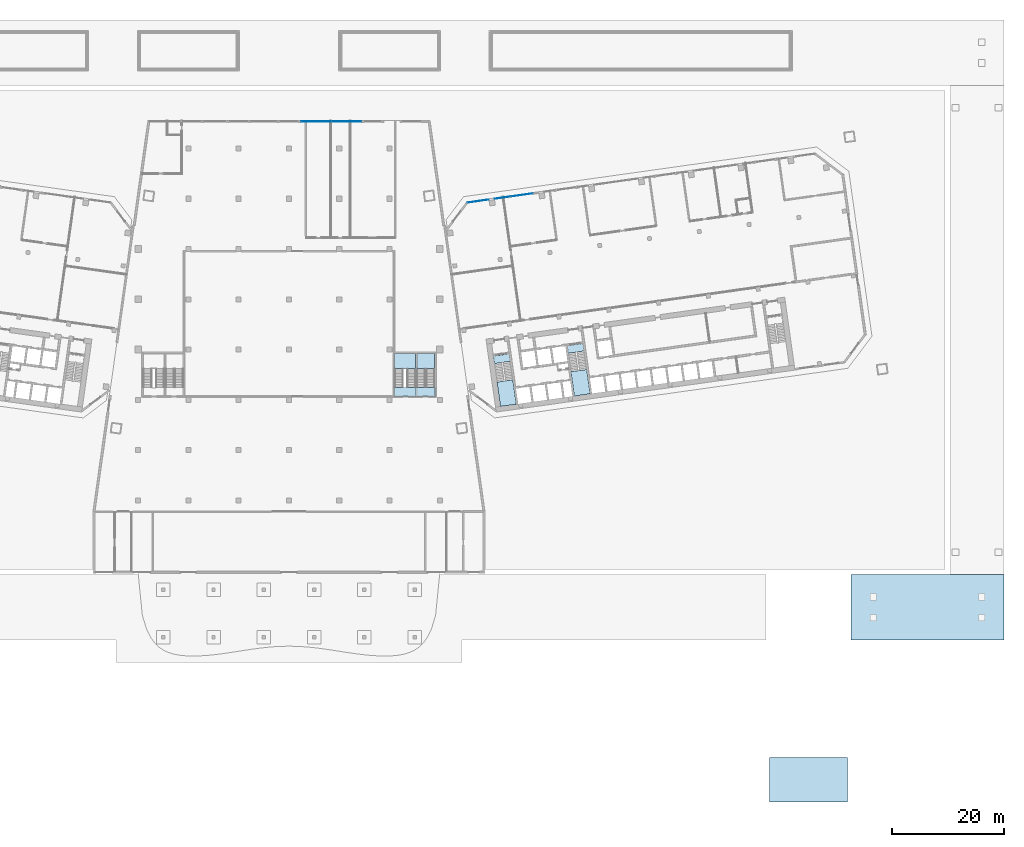
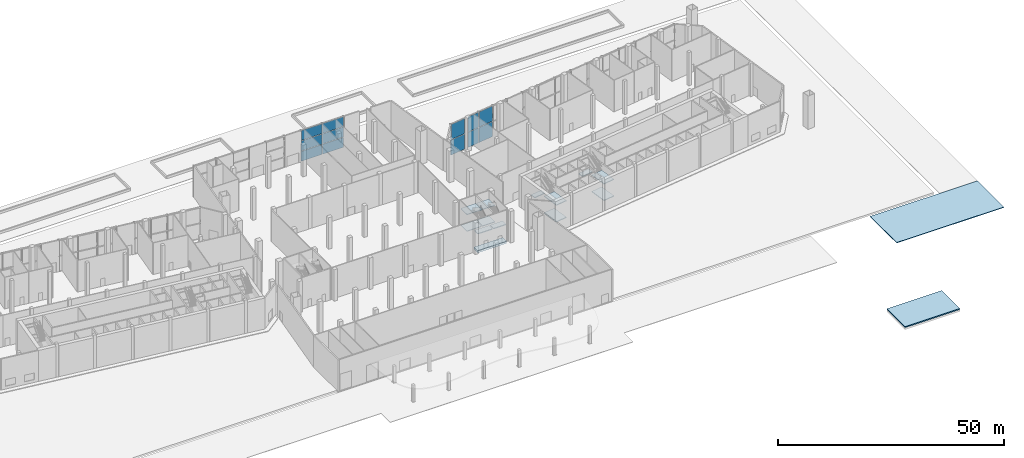
# One storey, part 12 of 34: 15 slabs, 12 plates, 6 elements without a shape of their own.
"""IFC4 building model written with IfcOpenShell, lengths in metres."""

from ifc_helpers import new_model, si_unit, direction, frame, origin, origin_2d, place, context, subcontext, project, spatial, polyline, rectangle, outline, extrude, material, layer, layer_set, type_object, element, aggregate, save


model = new_model("IFC4")

# Units and contexts
model_context = context("Model", 3, precision=1e-05, world=origin(), true_north=direction((0.0, 1.0)))
body_context = subcontext(model_context, "Body", "Model", "MODEL_VIEW")
ifc_project = project(units=[si_unit("LENGTHUNIT", "METRE"), si_unit("AREAUNIT", "SQUARE_METRE"), si_unit("VOLUMEUNIT", "CUBIC_METRE"), si_unit("PLANEANGLEUNIT", "RADIAN"), si_unit("MASSUNIT", "GRAM", prefix="KILO")], contexts=[model_context])

# Site, building, storey
site_placement = place(None, origin())
site = spatial("IfcSite", under=ifc_project, at=site_placement, CompositionType="ELEMENT")
building_placement = place(site_placement, origin())
building = spatial("IfcBuilding", under=site, at=building_placement, Name="Mirante Cascada Hotel Towers", CompositionType="ELEMENT")
storey_placement = place(building_placement, origin())
storey = spatial("IfcBuildingStorey", under=building, at=storey_placement, Name="L00", CompositionType="ELEMENT", Elevation=0.0)

# Curtain wall, plates
ifc_material_1 = material(Name="Aluminium mullion and transom frame with clear laminated glass", Category="aluminium")
curtain_wall_type = type_object("IfcCurtainWallType", Name="Podium curtain wall ECW3", PredefinedType="NOTDEFINED", material=ifc_material_1)
curtain_wall_1_placement = place(storey_placement, origin())
curtain_wall_1 = element("IfcCurtainWall", 1, at=curtain_wall_1_placement, inside=storey, type_object=curtain_wall_type, Name="Podium curtain wall L00 run front.7", PredefinedType="NOTDEFINED")
ifc_material_2 = material(Name="Clear laminated glass", Category="glass")
ifc_layer_1 = layer(ifc_material_2, 0.04)
ifc_layer_set_1 = layer_set([ifc_layer_1], Name="ECW3 glass panel 40")
plate_type = type_object("IfcPlateType", Name="ECW3 glass panel 40", PredefinedType="CURTAIN_PANEL", material=ifc_layer_set_1)
plate_1_placement = place(storey_placement, frame((41.6967, 18.6791, 0.12), z_axis=(0.0, 0.0, 1.0), x_axis=(-0.9902681, -0.1391731, 0.0)))
plate_1 = element("IfcPlate", 2, at=plate_1_placement, type_object=plate_type, Name="ECW3 panel 2", PredefinedType="CURTAIN_PANEL", context=body_context, shape_type="SweptSolid", body=[
    extrude(rectangle(XDim=3.8795, YDim=0.04, at=origin_2d()), origin(), (0.0, 0.0, 1.0), 4.07),
])
plate_2_placement = place(storey_placement, frame((41.6967, 18.6791, 4.31), z_axis=(0.0, 0.0, 1.0), x_axis=(-0.9902681, -0.1391731, 0.0)))
plate_2 = element("IfcPlate", 3, at=plate_2_placement, type_object=plate_type, Name="ECW3 panel 2", PredefinedType="CURTAIN_PANEL", context=body_context, shape_type="SweptSolid", body=[
    extrude(rectangle(XDim=3.8795, YDim=0.04, at=origin_2d()), origin(), (0.0, 0.0, 1.0), 4.07),
])
plate_3_placement = place(storey_placement, frame((38.2503, 18.1947, 0.12), z_axis=(0.0, 0.0, 1.0), x_axis=(-0.9902681, -0.1391731, 0.0)))
plate_3 = element("IfcPlate", 4, at=plate_3_placement, type_object=plate_type, Name="ECW3 panel 3", PredefinedType="CURTAIN_PANEL", context=body_context, shape_type="SweptSolid", body=[
    extrude(rectangle(XDim=2.9211, YDim=0.04, at=origin_2d()), origin(), (0.0, 0.0, 1.0), 4.07),
])
plate_4_placement = place(storey_placement, frame((38.2503, 18.1947, 4.31), z_axis=(0.0, 0.0, 1.0), x_axis=(-0.9902681, -0.1391731, 0.0)))
plate_4 = element("IfcPlate", 5, at=plate_4_placement, type_object=plate_type, Name="ECW3 panel 3", PredefinedType="CURTAIN_PANEL", context=body_context, shape_type="SweptSolid", body=[
    extrude(rectangle(XDim=2.9211, YDim=0.04, at=origin_2d()), origin(), (0.0, 0.0, 1.0), 4.07),
])
plate_5_placement = place(storey_placement, frame((33.8738, 17.5797, 0.12), z_axis=(0.0, 0.0, 1.0), x_axis=(-0.9902681, -0.1391731, 0.0)))
plate_5 = element("IfcPlate", 6, at=plate_5_placement, type_object=plate_type, Name="ECW3 panel 4", PredefinedType="CURTAIN_PANEL", context=body_context, shape_type="SweptSolid", body=[
    extrude(rectangle(XDim=3.8379, YDim=0.04, at=origin_2d()), origin(), (0.0, 0.0, 1.0), 4.07),
])
plate_6_placement = place(storey_placement, frame((33.8738, 17.5797, 4.31), z_axis=(0.0, 0.0, 1.0), x_axis=(-0.9902681, -0.1391731, 0.0)))
plate_6 = element("IfcPlate", 7, at=plate_6_placement, type_object=plate_type, Name="ECW3 panel 4", PredefinedType="CURTAIN_PANEL", context=body_context, shape_type="SweptSolid", body=[
    extrude(rectangle(XDim=3.8379, YDim=0.04, at=origin_2d()), origin(), (0.0, 0.0, 1.0), 4.07),
])
aggregate(curtain_wall_1, [plate_1, plate_2, plate_3, plate_4, plate_5, plate_6])

curtain_wall_2_placement = place(storey_placement, origin())
curtain_wall_2 = element("IfcCurtainWall", 8, at=curtain_wall_2_placement, inside=storey, type_object=curtain_wall_type, Name="Podium curtain wall L00 run 4.3", PredefinedType="NOTDEFINED")
plate_7_placement = place(storey_placement, frame((10.2925, 31.85, 0.12), z_axis=(0.0, 0.0, 1.0), x_axis=(-1.0, 0.0, 0.0)))
plate_7 = element("IfcPlate", 9, at=plate_7_placement, type_object=plate_type, Name="ECW3 panel 1", PredefinedType="CURTAIN_PANEL", context=body_context, shape_type="SweptSolid", body=[
    extrude(rectangle(XDim=5.355, YDim=0.04, at=origin_2d()), origin(), (0.0, 0.0, 1.0), 2.6533),
])
plate_8_placement = place(storey_placement, frame((10.2925, 31.85, 2.8934), z_axis=(0.0, 0.0, 1.0), x_axis=(-1.0, 0.0, 0.0)))
plate_8 = element("IfcPlate", 10, at=plate_8_placement, type_object=plate_type, Name="ECW3 panel 1", PredefinedType="CURTAIN_PANEL", context=body_context, shape_type="SweptSolid", body=[
    extrude(rectangle(XDim=5.355, YDim=0.04, at=origin_2d()), origin(), (0.0, 0.0, 1.0), 2.7133),
])
plate_9_placement = place(storey_placement, frame((10.2925, 31.85, 5.7266), z_axis=(0.0, 0.0, 1.0), x_axis=(-1.0, 0.0, 0.0)))
plate_9 = element("IfcPlate", 11, at=plate_9_placement, type_object=plate_type, Name="ECW3 panel 1", PredefinedType="CURTAIN_PANEL", context=body_context, shape_type="SweptSolid", body=[
    extrude(rectangle(XDim=5.355, YDim=0.04, at=origin_2d()), origin(), (0.0, 0.0, 1.0), 2.6533),
])
plate_10_placement = place(storey_placement, frame((4.8575, 31.85, 0.12), z_axis=(0.0, 0.0, 1.0), x_axis=(-1.0, 0.0, 0.0)))
plate_10 = element("IfcPlate", 12, at=plate_10_placement, type_object=plate_type, Name="ECW3 panel 2", PredefinedType="CURTAIN_PANEL", context=body_context, shape_type="SweptSolid", body=[
    extrude(rectangle(XDim=5.355, YDim=0.04, at=origin_2d()), origin(), (0.0, 0.0, 1.0), 2.6533),
])
plate_11_placement = place(storey_placement, frame((4.8575, 31.85, 2.8934), z_axis=(0.0, 0.0, 1.0), x_axis=(-1.0, 0.0, 0.0)))
plate_11 = element("IfcPlate", 13, at=plate_11_placement, type_object=plate_type, Name="ECW3 panel 2", PredefinedType="CURTAIN_PANEL", context=body_context, shape_type="SweptSolid", body=[
    extrude(rectangle(XDim=5.355, YDim=0.04, at=origin_2d()), origin(), (0.0, 0.0, 1.0), 2.7133),
])
plate_12_placement = place(storey_placement, frame((4.8575, 31.85, 5.7266), z_axis=(0.0, 0.0, 1.0), x_axis=(-1.0, 0.0, 0.0)))
plate_12 = element("IfcPlate", 14, at=plate_12_placement, type_object=plate_type, Name="ECW3 panel 2", PredefinedType="CURTAIN_PANEL", context=body_context, shape_type="SweptSolid", body=[
    extrude(rectangle(XDim=5.355, YDim=0.04, at=origin_2d()), origin(), (0.0, 0.0, 1.0), 2.6533),
])
aggregate(curtain_wall_2, [plate_7, plate_8, plate_9, plate_10, plate_11, plate_12])

# Stair, slabs
ifc_material_3 = material(Name="Concrete C35/45", Category="concrete")
stair_type_1 = type_object("IfcStairType", Name="Exit stair half-turn 1350 concrete C35/45", PredefinedType="HALF_TURN_STAIR", material=ifc_material_3)
stair_1_placement = place(storey_placement, origin())
stair_1 = element("IfcStair", 15, at=stair_1_placement, inside=storey, type_object=stair_type_1, Name="L00 Exit stair A", PredefinedType="HALF_TURN_STAIR")
ifc_material_4 = material(Name="Concrete C35/45", Category="concrete")
ifc_layer_2 = layer(ifc_material_4, 0.2)
ifc_layer_set_2 = layer_set([ifc_layer_2], Name="Exit stair landing 200 concrete C35/45")
slab_type_1 = type_object("IfcSlabType", Name="Exit stair landing 200 concrete C35/45", PredefinedType="LANDING", material=ifc_layer_set_2)
slab_1_placement = place(storey_placement, frame((0.0, 0.0, 2.05)))
slab_1 = element("IfcSlab", 16, at=slab_1_placement, type_object=slab_type_1, Name="ST2-A landing 1", PredefinedType="LANDING", context=body_context, shape_type="SweptSolid", body=[
    extrude(outline(polyline([(37.2544, -14.8171), (37.8665, -19.1723), (40.6887, -18.7757), (40.0767, -14.4205), (37.2544, -14.8171)])), origin(), (0.0, 0.0, 1.0), 0.2),
])
slab_2_placement = place(storey_placement, frame((0.0, 0.0, 4.3)))
slab_2 = element("IfcSlab", 17, at=slab_2_placement, type_object=slab_type_1, Name="ST2-A landing 2", PredefinedType="LANDING", context=body_context, shape_type="SweptSolid", body=[
    extrude(outline(polyline([(36.6, -10.1609), (36.789, -11.5057), (39.6113, -11.109), (39.4223, -9.7642), (36.6, -10.1609)])), origin(), (0.0, 0.0, 1.0), 0.2),
])
slab_3_placement = place(storey_placement, frame((0.0, 0.0, 6.55)))
slab_3 = element("IfcSlab", 18, at=slab_3_placement, type_object=slab_type_1, Name="ST2-A landing 3", PredefinedType="LANDING", context=body_context, shape_type="SweptSolid", body=[
    extrude(outline(polyline([(37.2544, -14.8171), (37.8665, -19.1723), (40.6887, -18.7757), (40.0767, -14.4205), (37.2544, -14.8171)])), origin(), (0.0, 0.0, 1.0), 0.2),
])
aggregate(stair_1, [slab_1, slab_2, slab_3])

stair_2_placement = place(storey_placement, origin())
stair_2 = element("IfcStair", 19, at=stair_2_placement, inside=storey, type_object=stair_type_1, Name="L00 Exit stair B", PredefinedType="HALF_TURN_STAIR")
slab_4_placement = place(storey_placement, frame((0.0, 0.0, 2.05)))
slab_4 = element("IfcSlab", 20, at=slab_4_placement, type_object=slab_type_1, Name="ST2-B landing 1", PredefinedType="LANDING", context=body_context, shape_type="SweptSolid", body=[
    extrude(outline(polyline([(50.4745, -12.9592), (51.0866, -17.3144), (53.9088, -16.9177), (53.2967, -12.5625), (50.4745, -12.9592)])), origin(), (0.0, 0.0, 1.0), 0.2),
])
slab_5_placement = place(storey_placement, frame((0.0, 0.0, 4.3)))
slab_5 = element("IfcSlab", 21, at=slab_5_placement, type_object=slab_type_1, Name="ST2-B landing 2", PredefinedType="LANDING", context=body_context, shape_type="SweptSolid", body=[
    extrude(outline(polyline([(49.8201, -8.3029), (50.0091, -9.6477), (52.8313, -9.2511), (52.6423, -7.9063), (49.8201, -8.3029)])), origin(), (0.0, 0.0, 1.0), 0.2),
])
slab_6_placement = place(storey_placement, frame((0.0, 0.0, 6.55)))
slab_6 = element("IfcSlab", 22, at=slab_6_placement, type_object=slab_type_1, Name="ST2-B landing 3", PredefinedType="LANDING", context=body_context, shape_type="SweptSolid", body=[
    extrude(outline(polyline([(50.4745, -12.9592), (51.0866, -17.3144), (53.9088, -16.9177), (53.2967, -12.5625), (50.4745, -12.9592)])), origin(), (0.0, 0.0, 1.0), 0.2),
])
aggregate(stair_2, [slab_4, slab_5, slab_6])

# Slab
ifc_material_5 = material(Name="Concrete C25/30", Category="concrete")
ifc_layer_3 = layer(ifc_material_5, 0.15)
ifc_layer_set_3 = layer_set([ifc_layer_3], Name="Paving slab 150 concrete C25/30")
slab_type_2 = type_object("IfcSlabType", Name="Paving slab 150 concrete C25/30", PredefinedType="USERDEFINED", material=ifc_layer_set_3)
slab_7_placement = place(storey_placement, frame((0.0, 0.0, -0.15)))
element("IfcSlab", 23, at=slab_7_placement, inside=storey, type_object=slab_type_2, Name="Paving South forecourt", ObjectType="PAVING", PredefinedType="USERDEFINED", context=body_context, shape_type="SweptSolid", body=[
    extrude(outline(polyline([(128.0, -61.0), (128.0, -49.3), (100.6, -49.3), (100.6, -61.0), (128.0, -61.0)])), origin(), (0.0, 0.0, 1.0), 0.15),
])

# Stair, slabs
ifc_material_6 = material(Name="Concrete C35/45", Category="concrete")
stair_type_2 = type_object("IfcStairType", Name="Podium exit stair half-turn 1500 concrete C35/45", PredefinedType="HALF_TURN_STAIR", material=ifc_material_6)
stair_3_placement = place(storey_placement, origin())
stair_3 = element("IfcStair", 24, at=stair_3_placement, inside=storey, type_object=stair_type_2, Name="L00 Podium exit stair 4", PredefinedType="HALF_TURN_STAIR")
ifc_material_7 = material(Name="Concrete C35/45", Category="concrete")
ifc_layer_4 = layer(ifc_material_7, 0.2)
ifc_layer_set_4 = layer_set([ifc_layer_4], Name="Podium exit stair landing 200 concrete C35/45")
slab_type_3 = type_object("IfcSlabType", Name="Podium exit stair landing 200 concrete C35/45", PredefinedType="LANDING", material=ifc_layer_set_4)
slab_8_placement = place(storey_placement, frame((0.0, 0.0, 2.05)))
slab_8 = element("IfcSlab", 25, at=slab_8_placement, type_object=slab_type_3, Name="PS2 landing 1", PredefinedType="LANDING", context=body_context, shape_type="SweptSolid", body=[
    extrude(outline(polyline([(26.075, -12.415), (26.075, -9.725), (22.925, -9.725), (22.925, -12.415), (26.075, -12.415)])), origin(), (0.0, 0.0, 1.0), 0.2),
])
slab_9_placement = place(storey_placement, frame((0.0, 0.0, 4.3)))
slab_9 = element("IfcSlab", 26, at=slab_9_placement, type_object=slab_type_3, Name="PS2 landing 2", PredefinedType="LANDING", context=body_context, shape_type="SweptSolid", body=[
    extrude(outline(polyline([(26.075, -17.275), (26.075, -15.775), (22.925, -15.775), (22.925, -17.275), (26.075, -17.275)])), origin(), (0.0, 0.0, 1.0), 0.2),
])
slab_10_placement = place(storey_placement, frame((0.0, 0.0, 6.55)))
slab_10 = element("IfcSlab", 27, at=slab_10_placement, type_object=slab_type_3, Name="PS2 landing 3", PredefinedType="LANDING", context=body_context, shape_type="SweptSolid", body=[
    extrude(outline(polyline([(26.075, -12.415), (26.075, -9.725), (22.925, -9.725), (22.925, -12.415), (26.075, -12.415)])), origin(), (0.0, 0.0, 1.0), 0.2),
])
aggregate(stair_3, [slab_8, slab_9, slab_10])

stair_4_placement = place(storey_placement, origin())
stair_4 = element("IfcStair", 28, at=stair_4_placement, inside=storey, type_object=stair_type_2, Name="L00 Podium exit stair 6", PredefinedType="HALF_TURN_STAIR")
slab_11_placement = place(storey_placement, frame((0.0, 0.0, 2.05)))
slab_11 = element("IfcSlab", 29, at=slab_11_placement, type_object=slab_type_3, Name="PS4 landing 1", PredefinedType="LANDING", context=body_context, shape_type="SweptSolid", body=[
    extrude(outline(polyline([(22.675, -12.415), (22.675, -9.725), (18.925, -9.725), (18.925, -12.415), (22.675, -12.415)])), origin(), (0.0, 0.0, 1.0), 0.2),
])
slab_12_placement = place(storey_placement, frame((0.0, 0.0, 4.3)))
slab_12 = element("IfcSlab", 30, at=slab_12_placement, type_object=slab_type_3, Name="PS4 landing 2", PredefinedType="LANDING", context=body_context, shape_type="SweptSolid", body=[
    extrude(outline(polyline([(22.675, -17.275), (22.675, -15.775), (18.925, -15.775), (18.925, -17.275), (22.675, -17.275)])), origin(), (0.0, 0.0, 1.0), 0.2),
])
slab_13_placement = place(storey_placement, frame((0.0, 0.0, 6.55)))
slab_13 = element("IfcSlab", 31, at=slab_13_placement, type_object=slab_type_3, Name="PS4 landing 3", PredefinedType="LANDING", context=body_context, shape_type="SweptSolid", body=[
    extrude(outline(polyline([(22.675, -12.415), (22.675, -9.725), (18.925, -9.725), (18.925, -12.415), (22.675, -12.415)])), origin(), (0.0, 0.0, 1.0), 0.2),
])
aggregate(stair_4, [slab_11, slab_12, slab_13])

# Slabs
ifc_material_8 = material(Name="Concrete C35/45", Category="concrete")
ifc_layer_5 = layer(ifc_material_8, 0.3)
ifc_layer_set_5 = layer_set([ifc_layer_5], Name="Ramp landing 300 C35/45")
slab_type_4 = type_object("IfcSlabType", Name="Ramp landing 300 C35/45", PredefinedType="LANDING", material=ifc_layer_set_5)
slab_14_placement = place(storey_placement, frame((0.0, 0.0, -0.3)))
element("IfcSlab", 32, at=slab_14_placement, inside=storey, type_object=slab_type_4, Name="Ramp arrival landing", PredefinedType="LANDING", context=body_context, shape_type="SweptSolid", body=[
    extrude(outline(polyline([(86.0, -90.0), (100.0, -90.0), (100.0, -82.0), (86.0, -82.0), (86.0, -90.0)])), origin(), (0.0, 0.0, 1.0), 0.3),
])
ifc_material_9 = material(Name="Concrete C35/45", Category="concrete")
ifc_layer_6 = layer(ifc_material_9, 0.6)
ifc_layer_set_6 = layer_set([ifc_layer_6], Name="Stair floor landing 600 concrete C35/45")
slab_type_5 = type_object("IfcSlabType", Name="Stair floor landing 600 concrete C35/45", PredefinedType="LANDING", material=ifc_layer_set_6)
slab_15_placement = place(storey_placement, frame((0.0, 0.0, -0.6)))
element("IfcSlab", 33, at=slab_15_placement, inside=storey, type_object=slab_type_5, Name="Exit stair 4 floor landing L00", PredefinedType="LANDING", context=body_context, shape_type="SweptSolid", body=[
    extrude(outline(polyline([(18.8, -17.4), (26.2, -17.4), (26.2, -15.775), (18.8, -15.775), (18.8, -17.4)])), origin(), (0.0, 0.0, 1.0), 0.6),
])

save(model, "model.ifc")
